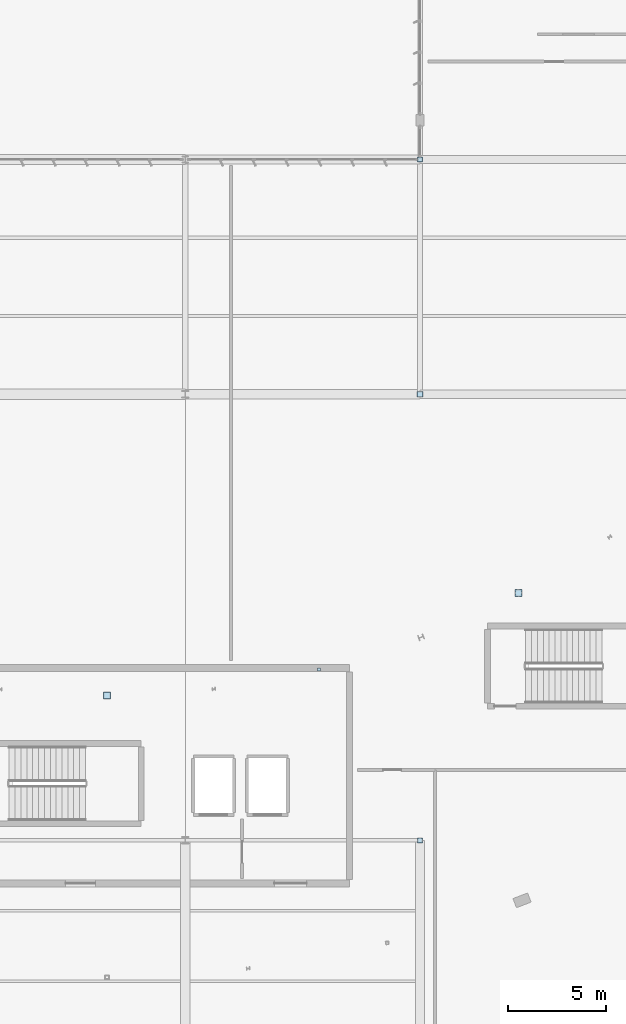
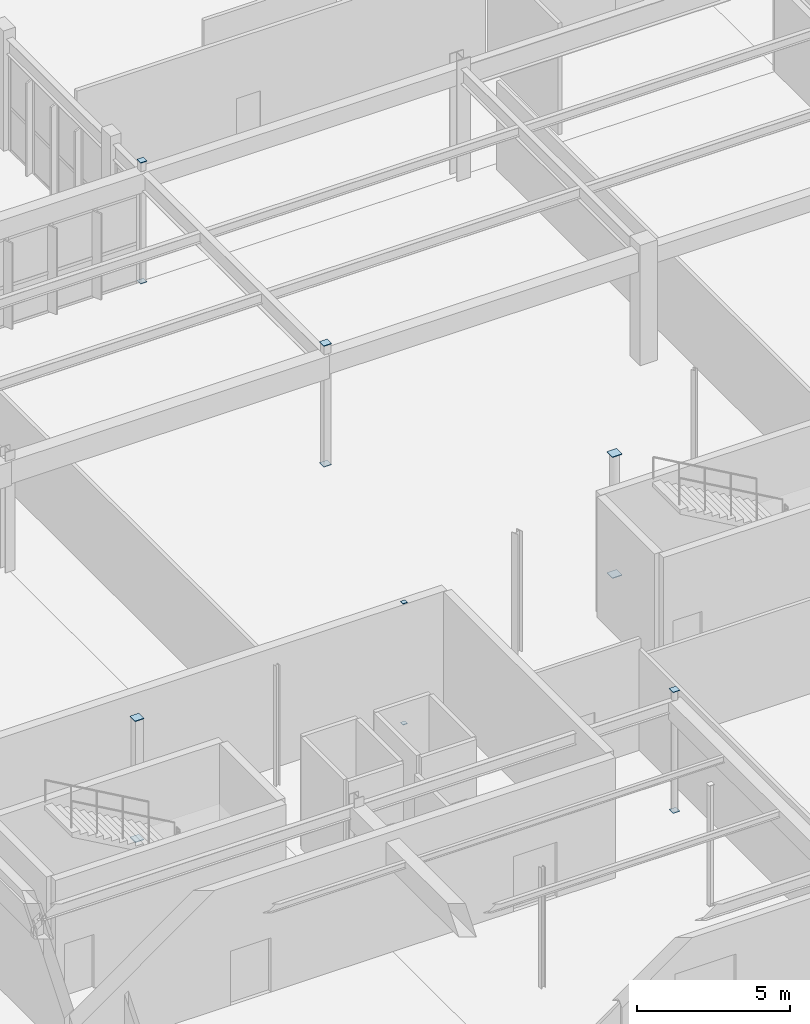
# One storey, part 137 of 199: 12 plates.
"""IFC4 building model written with IfcOpenShell, lengths in metres."""

import ifcopenshell
import ifcopenshell.guid

model = None  # the IFC model being written
_history = None  # IfcOwnerHistory: only IFC2X3 demands one
_inside = {}  # id of a spatial element -> (the spatial element, [elements in it])
_under = {}  # id of a project, library or spatial element -> (it, [spatial elements below it])
_declared = {}  # id of a project -> (the project, [libraries it declares])
_typed = {}  # id of a type object -> (the type object, [elements of that type])
_made_of = {}  # id of a material, layer set ... -> (it, [elements and type objects made of it])


def new_model(schema):
    """Start an empty IFC model of exactly this schema.

    Asked for "IFC4X3", IfcOpenShell would pick the latest addendum, in which some entities
    have other attributes; the version numbers below select the first issue.
    IFC2X3 requires an IfcOwnerHistory on every rooted entity: one is made here for all.
    """
    global model, _history
    if schema == "IFC4X3":
        model = ifcopenshell.file(schema_version=(4, 3, 0, 0))
    else:
        model = ifcopenshell.file(schema=schema)
    _inside.clear()
    _under.clear()
    _declared.clear()
    _typed.clear()
    _made_of.clear()
    _history = None
    if model.schema == "IFC2X3":
        org = make("IfcOrganization", Name="unknown")
        user = make(
            "IfcPersonAndOrganization",
            ThePerson=make("IfcPerson", FamilyName="unknown"),
            TheOrganization=org,
        )
        app = make(
            "IfcApplication",
            ApplicationDeveloper=org,
            Version="unknown",
            ApplicationFullName="unknown",
            ApplicationIdentifier="unknown",
        )
        _history = make(
            "IfcOwnerHistory",
            OwningUser=user,
            OwningApplication=app,
            ChangeAction="ADDED",
            CreationDate=0,
        )
    return model


def make(cls, **values):
    """One entity of the class cls with the attributes given. An attribute that is None is left unset."""
    return model.create_entity(
        cls, **{name: value for name, value in values.items() if value is not None}
    )


def rooted(cls, **values):
    """An entity with a GlobalId (a new one), such as an element, a storey or a relation."""
    return make(cls, GlobalId=ifcopenshell.guid.new(), OwnerHistory=_history, **values)


def si_unit(unit_type, name, prefix=None):
    """IfcSIUnit, for example si_unit("LENGTHUNIT", "METRE", prefix="MILLI")."""
    return make("IfcSIUnit", UnitType=unit_type, Prefix=prefix, Name=name)


def assignment(units):
    """IfcUnitAssignment: the units of a project."""
    return None if units is None else make("IfcUnitAssignment", Units=units)


def point(xyz):
    """IfcCartesianPoint."""
    return None if xyz is None else make("IfcCartesianPoint", Coordinates=xyz)


def direction(xyz):
    """IfcDirection."""
    return None if xyz is None else make("IfcDirection", DirectionRatios=xyz)


def frame(location, z_axis=None, x_axis=None):
    """IfcAxis2Placement3D, a coordinate frame: its origin and axes. An axis left out is left unset."""
    return make(
        "IfcAxis2Placement3D",
        Location=point(location),
        Axis=direction(z_axis),
        RefDirection=direction(x_axis),
    )


def frame_2d(location, x_axis=None):
    """IfcAxis2Placement2D, a coordinate frame in the plane: its origin and x axis."""
    return make(
        "IfcAxis2Placement2D", Location=point(location), RefDirection=direction(x_axis)
    )


def origin():
    """The frame at (0, 0, 0) with its axes left unset."""
    return frame((0.0, 0.0, 0.0))


def origin_2d():
    """The frame at (0, 0) in the plane with its x axis left unset."""
    return frame_2d((0.0, 0.0))


def place(relative_to, where):
    """IfcLocalPlacement: puts the frame where relative to a parent placement (None: the world)."""
    return make(
        "IfcLocalPlacement", PlacementRelTo=relative_to, RelativePlacement=where
    )


def context(
    kind, dimensions, precision=None, world=None, true_north=None, identifier=None
):
    """IfcGeometricRepresentationContext, for example the 3D "Model" context."""
    return make(
        "IfcGeometricRepresentationContext",
        ContextIdentifier=identifier,
        ContextType=kind,
        CoordinateSpaceDimension=dimensions,
        Precision=precision,
        WorldCoordinateSystem=world,
        TrueNorth=true_north,
    )


def subcontext(parent, identifier, kind, view, scale=None):
    """IfcGeometricRepresentationSubContext, for example "Body" below "Model"."""
    return make(
        "IfcGeometricRepresentationSubContext",
        ContextIdentifier=identifier,
        ContextType=kind,
        ParentContext=parent,
        TargetScale=scale,
        TargetView=view,
    )


def project(units=None, contexts=None):
    """IfcProject with its units and contexts."""
    return rooted(
        "IfcProject",
        Name="project",
        RepresentationContexts=contexts,
        UnitsInContext=assignment(units),
    )


def spatial(cls, under=None, at=None, **own):
    """A site, building, storey or space (cls), placed at a placement, below another one or the project."""
    s = rooted(cls, ObjectPlacement=at, **own)
    if under is not None:
        _under.setdefault(under.id(), (under, []))[1].append(s)
    return s


def profile(cls, at=None, kind="AREA", **sizes):
    """A parametric profile (cls). Its sizes go by their IFC names, for example OverallWidth=200.0."""
    return make(cls, ProfileType=kind, Position=at, **sizes)


def rectangle(**sizes):
    """IfcRectangleProfileDef."""
    return profile("IfcRectangleProfileDef", **sizes)


def extrude(swept, where, along, depth):
    """IfcExtrudedAreaSolid: the profile swept, set in the frame where, extruded along a direction by depth."""
    return make(
        "IfcExtrudedAreaSolid",
        SweptArea=swept,
        Position=where,
        ExtrudedDirection=direction(along),
        Depth=depth,
    )


def shape(context_of_items, identifier, shape_type, items):
    """IfcShapeRepresentation: the items that make up one representation, for example the "Body"."""
    return make(
        "IfcShapeRepresentation",
        ContextOfItems=context_of_items,
        RepresentationIdentifier=identifier,
        RepresentationType=shape_type,
        Items=items,
    )


def material(Name=None, Category=None):
    """IfcMaterial."""
    return make("IfcMaterial", Name=Name, Category=Category)


def layer(
    of_material, thickness, ventilated=None, Name=None, Category=None, Priority=None
):
    """IfcMaterialLayer: one layer of a wall or slab, of a material (None: an air gap)."""
    return make(
        "IfcMaterialLayer",
        Material=of_material,
        LayerThickness=thickness,
        IsVentilated=ventilated,
        Name=Name,
        Category=Category,
        Priority=Priority,
    )


def layer_set(layers, Name=None):
    """IfcMaterialLayerSet."""
    return make("IfcMaterialLayerSet", MaterialLayers=layers, LayerSetName=Name)


def made_of(thing, what):
    """Note that an element or type object is made of a material, layer set ...; save() writes the relation."""
    if what is not None:
        _made_of.setdefault(what.id(), (what, []))[1].append(thing)
    return thing


def type_object(cls, material=None, **own):
    """A type object (cls), such as IfcWallType, which elements share."""
    return made_of(rooted(cls, **own), material)


def element(
    cls,
    number,
    at=None,
    inside=None,
    cuts=None,
    type_object=None,
    material=None,
    context=None,
    identifier="Body",
    shape_type=None,
    held_by="IfcProductDefinitionShape",
    body=None,
    shapes=None,
    **own,
):
    """One element of the class cls, such as IfcWall. Its Tag is "e" and its number.

    at: its placement. inside: the storey or other place that contains it. cuts: it is an
    opening in that element (IfcRelVoidsElement). A single representation is given by context,
    identifier, shape_type and body (its items); several are given by shapes. held_by: the class
    of the entity that holds the representations. save() writes the other relations.
    """
    e = rooted(cls, Tag="e%d" % number, ObjectPlacement=at, **own)
    if body is not None:
        shapes = [shape(context, identifier, shape_type, body)]
    if shapes is not None:
        e.Representation = make(held_by, Representations=shapes)
    if inside is not None:
        _inside.setdefault(inside.id(), (inside, []))[1].append(e)
    if cuts is not None:
        rooted(
            "IfcRelVoidsElement", RelatingBuildingElement=cuts, RelatedOpeningElement=e
        )
    if type_object is not None:
        _typed.setdefault(type_object.id(), (type_object, []))[1].append(e)
    return made_of(e, material)


def aggregate(whole, parts):
    """IfcRelAggregates: a whole, such as a stair, and the parts it consists of."""
    return rooted("IfcRelAggregates", RelatingObject=whole, RelatedObjects=parts)


def save(model, path):
    """Write the relations noted so far, then the file.

    IfcRelAggregates (storeys below a building ...), IfcRelContainedInSpatialStructure (elements
    in a storey), IfcRelDefinesByType, IfcRelAssociatesMaterial and IfcRelDeclares: one each for
    every whole, place, type object, material and project.
    """
    for whole, parts in _under.values():
        aggregate(whole, parts)
    for where, things in _inside.values():
        rooted(
            "IfcRelContainedInSpatialStructure",
            RelatedElements=things,
            RelatingStructure=where,
        )
    for kind, things in _typed.values():
        rooted("IfcRelDefinesByType", RelatedObjects=things, RelatingType=kind)
    for what, things in _made_of.values():
        rooted("IfcRelAssociatesMaterial", RelatedObjects=things, RelatingMaterial=what)
    for by, libraries in _declared.values():
        rooted("IfcRelDeclares", RelatingContext=by, RelatedDefinitions=libraries)
    model.write(path)


model = new_model("IFC4")

# Units and contexts
model_context = context("Model", 3, precision=1e-05, world=origin(), true_north=direction((0.0, 1.0)))
body_context = subcontext(model_context, "Body", "Model", "MODEL_VIEW")
ifc_project = project(units=[si_unit("LENGTHUNIT", "METRE"), si_unit("AREAUNIT", "SQUARE_METRE"), si_unit("VOLUMEUNIT", "CUBIC_METRE"), si_unit("PLANEANGLEUNIT", "RADIAN"), si_unit("MASSUNIT", "GRAM", prefix="KILO")], contexts=[model_context])

# Site, building, storey
site_placement = place(None, origin())
site = spatial("IfcSite", under=ifc_project, at=site_placement, CompositionType="ELEMENT")
building_placement = place(site_placement, origin())
building = spatial("IfcBuilding", under=site, at=building_placement, Name="Tarnwether General Hospital", CompositionType="ELEMENT")
storey_placement = place(building_placement, origin())
storey = spatial("IfcBuildingStorey", under=building, at=storey_placement, Name="L00", CompositionType="ELEMENT", Elevation=0.0)

# Plates
ifc_material = material(Name="Steel Grade 350 (350 MPa)", Category="steel")
ifc_layer = layer(ifc_material, 0.02490234375)
ifc_layer_set = layer_set([ifc_layer], Name="Steel Grade 350 (350 MPa)")
plate_type = type_object("IfcPlateType", Name="PT-GUS2", PredefinedType="USERDEFINED", material=ifc_layer_set)
for number, where, z_axis, x_axis, name in (
    (1, (108.0, 10.800048828125, -0.02490234375), (0.0, 0.0, 1.0), (1.0, 0.0, 0.0), "Hollow Section Welded End Cap Plate 0191"),
    (2, (108.0, 10.800048828125, 4.800048828125), (0.0, 0.0, 1.0), (1.0, 0.0, 0.0), "Hollow Section Welded End Cap Plate 0192"),
):
    element("IfcPlate", number, at=place(storey_placement, frame(where, z_axis=z_axis, x_axis=x_axis)), inside=storey, type_object=plate_type, Name=name, ObjectType="GUSSET", PredefinedType="USERDEFINED", context=body_context, shape_type="SweptSolid", body=[
        extrude(rectangle(XDim=0.259033203125, YDim=0.259033203125, at=origin_2d()), origin(), (0.0, 0.0, 1.0), 0.02490234375),
    ])
for number, where, z_axis, x_axis, name in (
    (3, (108.0, 33.60009765625, -0.02490234375), (0.0, 0.0, 1.0), (1.0, 0.0, 0.0), "Hollow Section Welded End Cap Plate 0199"),
    (4, (108.0, 33.60009765625, 4.800048828125), (0.0, 0.0, 1.0), (1.0, 0.0, 0.0), "Hollow Section Welded End Cap Plate 0200"),
):
    element("IfcPlate", number, at=place(storey_placement, frame(where, z_axis=z_axis, x_axis=x_axis)), inside=storey, type_object=plate_type, Name=name, ObjectType="GUSSET", PredefinedType="USERDEFINED", context=body_context, shape_type="SweptSolid", body=[
        extrude(rectangle(XDim=0.2900390625, YDim=0.2900390625, at=origin_2d()), origin(), (0.0, 0.0, 1.0), 0.02490234375),
    ])
for number, where, z_axis, x_axis, name in (
    (5, (108.0, 45.60009765625, -0.02490234375), (0.0, 0.0, 1.0), (1.0, 0.0, 0.0), "Hollow Section Welded End Cap Plate 0205"),
    (6, (108.0, 45.60009765625, 4.800048828125), (0.0, 0.0, 1.0), (1.0, 0.0, 0.0), "Hollow Section Welded End Cap Plate 0206"),
):
    element("IfcPlate", number, at=place(storey_placement, frame(where, z_axis=z_axis, x_axis=x_axis)), inside=storey, type_object=plate_type, Name=name, ObjectType="GUSSET", PredefinedType="USERDEFINED", context=body_context, shape_type="SweptSolid", body=[
        extrude(rectangle(XDim=0.239990234375, YDim=0.239990234375, at=origin_2d()), origin(), (0.0, 0.0, 1.0), 0.02490234375),
    ])
for number, where, z_axis, x_axis, name in (
    (7, (92.0, 18.199951171875, -0.02490234375), (0.0, 0.0, 1.0), (1.0, 0.0, 0.0), "Hollow Section Welded End Cap Plate 0687"),
    (8, (92.0, 18.199951171875, 4.800048828125), (0.0, 0.0, 1.0), (1.0, 0.0, 0.0), "Hollow Section Welded End Cap Plate 0688"),
):
    element("IfcPlate", number, at=place(storey_placement, frame(where, z_axis=z_axis, x_axis=x_axis)), inside=storey, type_object=plate_type, Name=name, ObjectType="GUSSET", PredefinedType="USERDEFINED", context=body_context, shape_type="SweptSolid", body=[
        extrude(rectangle(XDim=0.340087890625, YDim=0.340087890625, at=origin_2d()), origin(), (0.0, 0.0, 1.0), 0.02490234375),
    ])
for number, where, z_axis, x_axis, name in (
    (9, (102.837890625, 19.531005859375, -0.02490234375), (0.0, 0.0, 1.0), (1.0, 0.0, 0.0), "Hollow Section Welded End Cap Plate 0713"),
    (10, (102.837890625, 19.531005859375, 4.800048828125), (0.0, 0.0, 1.0), (1.0, 0.0, 0.0), "Hollow Section Welded End Cap Plate 0714"),
):
    element("IfcPlate", number, at=place(storey_placement, frame(where, z_axis=z_axis, x_axis=x_axis)), inside=storey, type_object=plate_type, Name=name, ObjectType="GUSSET", PredefinedType="USERDEFINED", context=body_context, shape_type="SweptSolid", body=[
        extrude(rectangle(XDim=0.1650390625, YDim=0.1650390625, at=origin_2d()), origin(), (0.0, 0.0, 1.0), 0.02490234375),
    ])
for number, where, z_axis, x_axis, name in (
    (11, (113.031982421875, 23.444091796875, -0.02490234375), (0.0, 0.0, 1.0), (1.0, 0.0, 0.0), "Hollow Section Welded End Cap Plate 0733"),
    (12, (113.031982421875, 23.444091796875, 4.800048828125), (0.0, 0.0, 1.0), (1.0, 0.0, 0.0), "Hollow Section Welded End Cap Plate 0734"),
):
    element("IfcPlate", number, at=place(storey_placement, frame(where, z_axis=z_axis, x_axis=x_axis)), inside=storey, type_object=plate_type, Name=name, ObjectType="GUSSET", PredefinedType="USERDEFINED", context=body_context, shape_type="SweptSolid", body=[
        extrude(rectangle(XDim=0.364013671875, YDim=0.364013671875, at=origin_2d()), origin(), (0.0, 0.0, 1.0), 0.02490234375),
    ])

save(model, "model.ifc")
